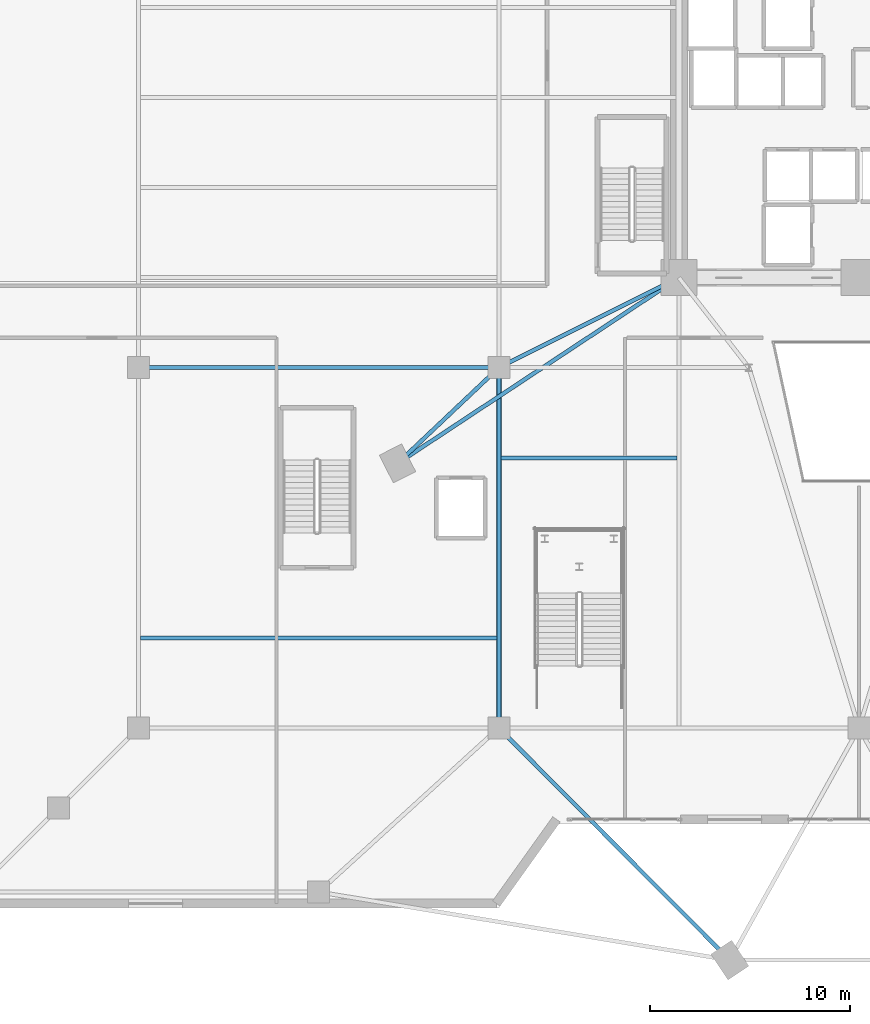
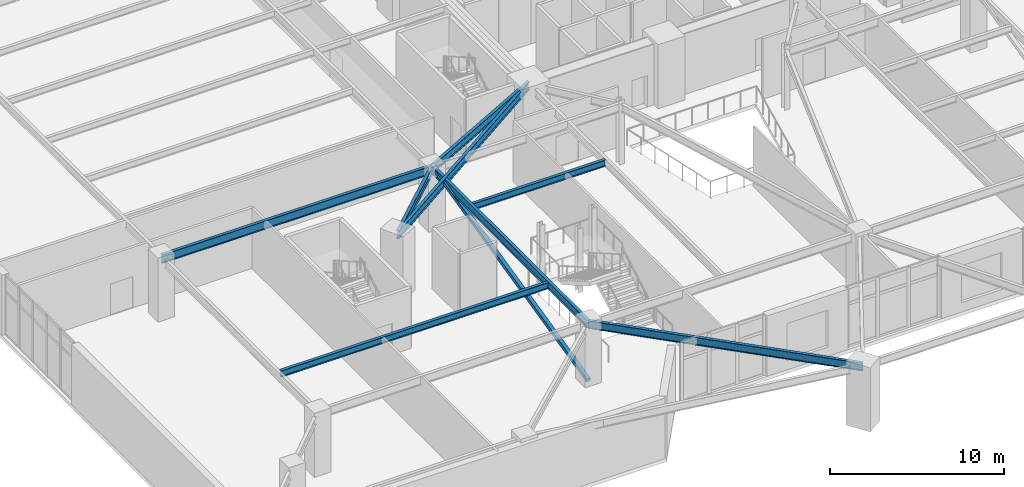
# One storey, part 7 of 29: 8 beams, 1 member.
"""IFC4 building model written with IfcOpenShell, lengths in metres."""

from ifc_helpers import new_model, si_unit, direction, frame, origin, origin_2d, place, context, subcontext, project, spatial, hollow_rectangle, i_section, extrude, source, transform, mapped, material, material_profile, profile_set, type_object, element, save


model = new_model("IFC4")

# Units and contexts
model_context = context("Model", 3, precision=1e-05, world=origin(), true_north=direction((0.0, 1.0)))
body_context = subcontext(model_context, "Body", "Model", "MODEL_VIEW")
ifc_project = project(units=[si_unit("LENGTHUNIT", "METRE"), si_unit("AREAUNIT", "SQUARE_METRE"), si_unit("VOLUMEUNIT", "CUBIC_METRE"), si_unit("PLANEANGLEUNIT", "RADIAN"), si_unit("MASSUNIT", "GRAM", prefix="KILO")], contexts=[model_context])

# Site, building, storey
site_placement = place(None, origin())
site = spatial("IfcSite", under=ifc_project, at=site_placement, CompositionType="ELEMENT")
building_placement = place(site_placement, origin())
building = spatial("IfcBuilding", under=site, at=building_placement, Name="Liaohun Quay Tower", CompositionType="ELEMENT")
storey_placement = place(building_placement, frame((0.0, 0.0, 5.39990234375)))
storey = spatial("IfcBuildingStorey", under=building, at=storey_placement, Name="L02", CompositionType="ELEMENT", Elevation=5.39990234375)

# Beams
ifc_material = material(Name="Steel Q355D", Category="steel")
ifc_material_profile_1 = material_profile(ifc_material, i_section(OverallWidth=0.199951171875, OverallDepth=0.449951171875, WebThickness=0.009033203125, FlangeThickness=0.013916015625, at=origin_2d()), Name="HN450x200x9x14")
ifc_profile_set_1 = profile_set([ifc_material_profile_1], Name="Steel Q355D")
beam_type_1 = type_object("IfcBeamType", Name="BM-SEC-J1", PredefinedType="JOIST", material=ifc_profile_set_1)
shared_shape_1 = source(origin(), body_context, "Body", "SweptSolid", [
    extrude(i_section(OverallWidth=0.199951171875, OverallDepth=0.449951171875, WebThickness=0.009033203125, FlangeThickness=0.013916015625, at=origin_2d()), origin(), (0.0, 0.0, 1.0), 8.7998046875),
])
beam_1_placement = place(storey_placement, frame((42.10009765625, 37.5, 4.025146484375), z_axis=(1.0, 0.0, 0.0), x_axis=(0.0, 1.0, 0.0)))
element("IfcBeam", 1, at=beam_1_placement, inside=storey, type_object=beam_type_1, Name="L02 Composite Floor Joist SJ-14", PredefinedType="JOIST", context=body_context, shape_type="MappedRepresentation", body=[
    mapped(shared_shape_1, transform((0.0, 0.0, 0.0), x_axis=(1.0, 0.0, 0.0), y_axis=(0.0, 1.0, 0.0), z_axis=(0.0, 0.0, 1.0), scale=1.0)),
])
shared_shape_2 = source(origin(), body_context, "Body", "SweptSolid", [
    extrude(i_section(OverallWidth=0.199951171875, OverallDepth=0.449951171875, WebThickness=0.009033203125, FlangeThickness=0.013916015625, at=origin_2d()), origin(), (0.0, 0.0, 1.0), 17.7998046875),
])
beam_2_placement = place(storey_placement, frame((24.10009765625, 28.5, 4.025146484375), z_axis=(1.0, 0.0, 0.0), x_axis=(0.0, 1.0, 0.0)))
element("IfcBeam", 2, at=beam_2_placement, inside=storey, type_object=beam_type_1, Name="L02 Composite Floor Joist SJ-01", PredefinedType="JOIST", context=body_context, shape_type="MappedRepresentation", body=[
    mapped(shared_shape_2, transform((0.0, 0.0, 0.0), x_axis=(1.0, 0.0, 0.0), y_axis=(0.0, 1.0, 0.0), z_axis=(0.0, 0.0, 1.0), scale=1.0)),
])
ifc_material_profile_2 = material_profile(ifc_material, i_section(OverallWidth=0.199951171875, OverallDepth=0.60009765625, WebThickness=0.010986328125, FlangeThickness=0.01708984375, at=origin_2d()), Name="HN600x200x11x17")
ifc_profile_set_2 = profile_set([ifc_material_profile_2], Name="Steel Q355D")
beam_type_2 = type_object("IfcBeamType", Name="BM-POD-G1", PredefinedType="BEAM", material=ifc_profile_set_2)
shared_shape_3 = source(origin(), body_context, "Body", "SweptSolid", [
    extrude(i_section(OverallWidth=0.199951171875, OverallDepth=0.60009765625, WebThickness=0.010986328125, FlangeThickness=0.01708984375, at=origin_2d()), origin(), (0.0, 0.0, 1.0), 18.0),
])
beam_3_placement = place(storey_placement, frame((24.0, 42.0, 3.9501953125), z_axis=(1.0, 0.0, 0.0), x_axis=(0.0, 1.0, 0.0)))
element("IfcBeam", 3, at=beam_3_placement, inside=storey, type_object=beam_type_2, Name="L02 Primary Grid Girder PG06-PG07", PredefinedType="BEAM", context=body_context, shape_type="MappedRepresentation", body=[
    mapped(shared_shape_3, transform((0.0, 0.0, 0.0), x_axis=(1.0, 0.0, 0.0), y_axis=(0.0, 1.0, 0.0), z_axis=(0.0, 0.0, 1.0), scale=1.0)),
])
ifc_material_profile_3 = material_profile(ifc_material, i_section(OverallWidth=0.199951171875, OverallDepth=0.550048828125, WebThickness=0.010009765625, FlangeThickness=0.01611328125, at=origin_2d()), Name="HN550x200x10x16")
ifc_profile_set_3 = profile_set([ifc_material_profile_3], Name="Steel Q355D")
beam_type_3 = type_object("IfcBeamType", Name="BM-POD-G2", PredefinedType="BEAM", material=ifc_profile_set_3)
shared_shape_4 = source(origin(), body_context, "Body", "SweptSolid", [
    extrude(i_section(OverallWidth=0.199951171875, OverallDepth=0.550048828125, WebThickness=0.010009765625, FlangeThickness=0.01611328125, at=origin_2d()), origin(), (0.0, 0.0, 1.0), 18.0),
])
beam_4_placement = place(storey_placement, frame((42.0, 24.0, 3.97509765625), z_axis=(0.0, 1.0, 0.0), x_axis=(-1.0, 0.0, 0.0)))
element("IfcBeam", 4, at=beam_4_placement, inside=storey, type_object=beam_type_3, Name="L02 Primary Grid Girder PG02-PG07", PredefinedType="BEAM", context=body_context, shape_type="MappedRepresentation", body=[
    mapped(shared_shape_4, transform((0.0, 0.0, 0.0), x_axis=(1.0, 0.0, 0.0), y_axis=(0.0, 1.0, 0.0), z_axis=(0.0, 0.0, 1.0), scale=1.0)),
])
shared_shape_5 = source(origin(), body_context, "Body", "SweptSolid", [
    extrude(i_section(OverallWidth=0.199951171875, OverallDepth=0.550048828125, WebThickness=0.010009765625, FlangeThickness=0.01611328125, at=origin_2d()), origin(), (0.0, 0.0, 1.0), 10.062255859375),
])
beam_5_placement = place(storey_placement, frame((42.0, 42.0, 3.97509765625), z_axis=(0.894427191, 0.4472135955, 0.0), x_axis=(-0.4472135955, 0.894427191, 0.0)))
element("IfcBeam", 5, at=beam_5_placement, inside=storey, type_object=beam_type_3, Name="L02 Primary Grid Girder PG07-CC1", PredefinedType="BEAM", context=body_context, shape_type="MappedRepresentation", body=[
    mapped(shared_shape_5, transform((0.0, 0.0, 0.0), x_axis=(1.0, 0.0, 0.0), y_axis=(0.0, 1.0, 0.0), z_axis=(0.0, 0.0, 1.0), scale=1.0)),
])
shared_shape_6 = source(origin(), body_context, "Body", "SweptSolid", [
    extrude(i_section(OverallWidth=0.199951171875, OverallDepth=0.550048828125, WebThickness=0.010009765625, FlangeThickness=0.01611328125, at=origin_2d()), origin(), (0.0, 0.0, 1.0), 16.368896484375),
])
beam_6_placement = place(storey_placement, frame((53.5458984375, 12.39697265625, 3.97509765625), z_axis=(-0.705359574392, 0.708849681395, 0.0), x_axis=(-0.708849681395, -0.705359574392, 0.0)))
element("IfcBeam", 6, at=beam_6_placement, inside=storey, type_object=beam_type_3, Name="L02 Primary Grid Girder PC01-PG02", PredefinedType="BEAM", context=body_context, shape_type="MappedRepresentation", body=[
    mapped(shared_shape_6, transform((0.0, 0.0, 0.0), x_axis=(1.0, 0.0, 0.0), y_axis=(0.0, 1.0, 0.0), z_axis=(0.0, 0.0, 1.0), scale=1.0)),
])
shared_shape_7 = source(origin(), body_context, "Body", "SweptSolid", [
    extrude(i_section(OverallWidth=0.199951171875, OverallDepth=0.550048828125, WebThickness=0.010009765625, FlangeThickness=0.01611328125, at=origin_2d()), origin(), (0.0, 0.0, 1.0), 6.962158203125),
])
beam_7_placement = place(storey_placement, frame((36.94091796875, 37.217041015625, 3.97509765625), z_axis=(0.726659067673, 0.686998252813, 0.0), x_axis=(-0.686998252813, 0.726659067673, 0.0)))
element("IfcBeam", 7, at=beam_7_placement, inside=storey, type_object=beam_type_3, Name="L02 Primary Grid Girder PC02-PG07", PredefinedType="BEAM", context=body_context, shape_type="MappedRepresentation", body=[
    mapped(shared_shape_7, transform((0.0, 0.0, 0.0), x_axis=(1.0, 0.0, 0.0), y_axis=(0.0, 1.0, 0.0), z_axis=(0.0, 0.0, 1.0), scale=1.0)),
])
shared_shape_8 = source(origin(), body_context, "Body", "SweptSolid", [
    extrude(i_section(OverallWidth=0.199951171875, OverallDepth=0.550048828125, WebThickness=0.010009765625, FlangeThickness=0.01611328125, at=origin_2d()), origin(), (0.0, 0.0, 1.0), 16.84716796875),
])
beam_8_placement = place(storey_placement, frame((36.94091796875, 37.217041015625, 3.97509765625), z_axis=(0.834501195619, 0.551006129285, 0.0), x_axis=(-0.551006129285, 0.834501195619, 0.0)))
element("IfcBeam", 8, at=beam_8_placement, inside=storey, type_object=beam_type_3, Name="L02 Primary Grid Girder PC02-CC1", PredefinedType="BEAM", context=body_context, shape_type="MappedRepresentation", body=[
    mapped(shared_shape_8, transform((0.0, 0.0, 0.0), x_axis=(1.0, 0.0, 0.0), y_axis=(0.0, 1.0, 0.0), z_axis=(0.0, 0.0, 1.0), scale=1.0)),
])

# Member
ifc_material_profile_4 = material_profile(ifc_material, hollow_rectangle(XDim=0.25, YDim=0.25, WallThickness=0.011962890625, at=origin_2d()), Name="SHS250x250x12")
ifc_profile_set_4 = profile_set([ifc_material_profile_4], Name="Steel Q355D")
member_type = type_object("IfcMemberType", Name="MEM-ATR-STR", PredefinedType="STRINGER", material=ifc_profile_set_4)
shared_shape_9 = source(origin(), body_context, "Body", "SweptSolid", [
    extrude(hollow_rectangle(XDim=0.25, YDim=0.25, WallThickness=0.011962890625, at=origin_2d()), origin(), (0.0, 0.0, 1.0), 18.48583984375),
])
member_placement = place(storey_placement, frame((42.0, 24.0, 0.02001953125), z_axis=(0.0, 0.973721837383, 0.227740605521), x_axis=(-1.0, 0.0, 0.0)))
element("IfcMember", 9, at=member_placement, inside=storey, type_object=member_type, Name="L02 Atrium Gallery Raking Stringer Tie AS-1-1", PredefinedType="STRINGER", context=body_context, shape_type="MappedRepresentation", body=[
    mapped(shared_shape_9, transform((0.0, 0.0, 0.0), x_axis=(1.0, 0.0, 0.0), y_axis=(0.0, 1.0, 0.0), z_axis=(0.0, 0.0, 1.0), scale=1.0)),
])

save(model, "model.ifc")
